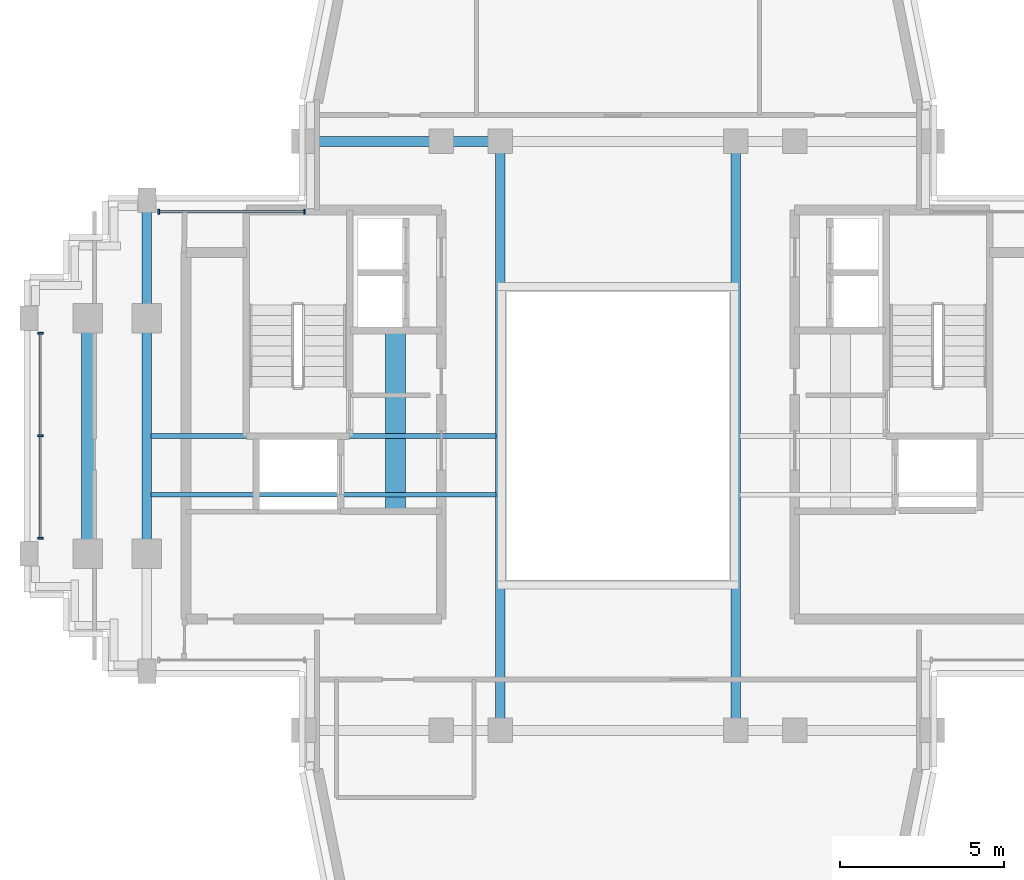
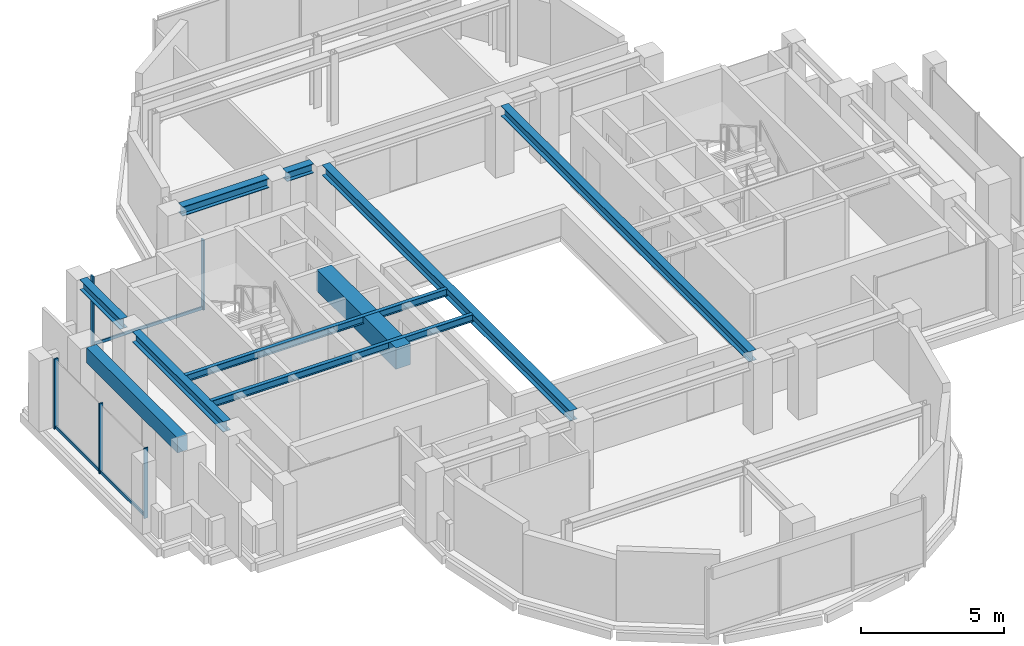
# One storey, part 4 of 12: 10 beams, 8 members, 2 elements without a shape of their own.
"""IFC4 building model written with IfcOpenShell, lengths in metres."""

from ifc_helpers import new_model, si_unit, direction, frame, origin, origin_2d, place, context, subcontext, project, spatial, rectangle, i_section, extrude, source, transform, mapped, material, material_profile, profile_set, type_object, element, aggregate, save


model = new_model("IFC4")

# Units and contexts
model_context = context("Model", 3, precision=1e-05, world=origin(), true_north=direction((0.0, 1.0)))
body_context = subcontext(model_context, "Body", "Model", "MODEL_VIEW")
ifc_project = project(units=[si_unit("LENGTHUNIT", "METRE"), si_unit("AREAUNIT", "SQUARE_METRE"), si_unit("VOLUMEUNIT", "CUBIC_METRE"), si_unit("PLANEANGLEUNIT", "RADIAN"), si_unit("MASSUNIT", "GRAM", prefix="KILO")], contexts=[model_context])

# Site, building, storey
site_placement = place(None, origin())
site = spatial("IfcSite", under=ifc_project, at=site_placement, CompositionType="ELEMENT")
building_placement = place(site_placement, origin())
building = spatial("IfcBuilding", under=site, at=building_placement, Name="Keilestroom Media Tower", CompositionType="ELEMENT")
storey_placement = place(building_placement, frame((0.0, 0.0, 249.199951171875)))
storey = spatial("IfcBuildingStorey", under=building, at=storey_placement, Name="L69", CompositionType="ELEMENT", Elevation=249.199951171875)

# Beams
ifc_material_1 = material(Name="Concrete C70/85", Category="concrete")
ifc_material_profile_1 = material_profile(ifc_material_1, rectangle(XDim=0.60009765625, YDim=0.89990234375, at=origin_2d()), Name="RC 600x900")
ifc_profile_set_1 = profile_set([ifc_material_profile_1], Name="Concrete C70/85")
beam_type_1 = type_object("IfcBeamType", Name="Core-Coupling-Lintel-Beam-RC-600x900", PredefinedType="LINTEL", material=ifc_profile_set_1)
shared_shape_1 = source(origin(), body_context, "Body", "SweptSolid", [
    extrude(rectangle(XDim=0.60009765625, YDim=0.89990234375, at=origin_2d()), origin(), (0.0, 0.0, 1.0), 5.52001953125),
])
beam_1_placement = place(storey_placement, frame((-6.800048828125, -2.300048828125, 2.56005859375), z_axis=(0.0, 1.0, 0.0), x_axis=(-1.0, 0.0, 0.0)))
element("IfcBeam", 1, at=beam_1_placement, inside=storey, type_object=beam_type_1, Name="L69 Beam CLB-1 CLB-L69-W", PredefinedType="LINTEL", context=body_context, shape_type="MappedRepresentation", body=[
    mapped(shared_shape_1, transform((0.0, 0.0, 0.0), x_axis=(1.0, 0.0, 0.0), y_axis=(0.0, 1.0, 0.0), z_axis=(0.0, 0.0, 1.0), scale=1.0)),
])
ifc_material_2 = material(Name="Steel S355", Category="steel")
ifc_material_profile_2 = material_profile(ifc_material_2, i_section(OverallWidth=0.300048828125, OverallDepth=0.39990234375, WebThickness=0.011474609375, FlangeThickness=0.02392578125, at=origin_2d()), Name="HEB 400")
ifc_profile_set_2 = profile_set([ifc_material_profile_2], Name="Steel S355")
beam_type_2 = type_object("IfcBeamType", Name="Primary-Structural-Girder-HEB-400", PredefinedType="BEAM", material=ifc_profile_set_2)
shared_shape_2 = source(origin(), body_context, "Body", "SweptSolid", [
    extrude(i_section(OverallWidth=0.300048828125, OverallDepth=0.39990234375, WebThickness=0.011474609375, FlangeThickness=0.02392578125, at=origin_2d()), origin(), (0.0, 0.0, 1.0), 3.490234375),
])
beam_2_placement = place(storey_placement, frame((-9.2451171875, 9.0, 2.81005859375), z_axis=(1.0, 0.0, 0.0), x_axis=(0.0, 1.0, 0.0)))
element("IfcBeam", 2, at=beam_2_placement, inside=storey, type_object=beam_type_2, Name="L69 Beam BG-8 BM-L69-EW-012", PredefinedType="BEAM", context=body_context, shape_type="MappedRepresentation", body=[
    mapped(shared_shape_2, transform((0.0, 0.0, 0.0), x_axis=(1.0, 0.0, 0.0), y_axis=(0.0, 1.0, 0.0), z_axis=(0.0, 0.0, 1.0), scale=1.0)),
])
shared_shape_3 = source(origin(), body_context, "Body", "SweptSolid", [
    extrude(i_section(OverallWidth=0.300048828125, OverallDepth=0.39990234375, WebThickness=0.011474609375, FlangeThickness=0.02392578125, at=origin_2d()), origin(), (0.0, 0.0, 1.0), 1.08984375),
])
beam_3_placement = place(storey_placement, frame((-5.044921875, 9.0, 2.81005859375), z_axis=(1.0, 0.0, 0.0), x_axis=(0.0, 1.0, 0.0)))
element("IfcBeam", 3, at=beam_3_placement, inside=storey, type_object=beam_type_2, Name="L69 Beam BG-8 BM-L69-EW-013", PredefinedType="BEAM", context=body_context, shape_type="MappedRepresentation", body=[
    mapped(shared_shape_3, transform((0.0, 0.0, 0.0), x_axis=(1.0, 0.0, 0.0), y_axis=(0.0, 1.0, 0.0), z_axis=(0.0, 0.0, 1.0), scale=1.0)),
])
ifc_material_profile_3 = material_profile(ifc_material_2, i_section(OverallWidth=0.300048828125, OverallDepth=0.43994140625, WebThickness=0.011474609375, FlangeThickness=0.02099609375, at=origin_2d()), Name="HEA 450")
ifc_profile_set_3 = profile_set([ifc_material_profile_3], Name="Steel S355")
beam_type_3 = type_object("IfcBeamType", Name="Primary-Structural-Girder-HEA-450", PredefinedType="BEAM", material=ifc_profile_set_3)
shared_shape_4 = source(origin(), body_context, "Body", "SweptSolid", [
    extrude(i_section(OverallWidth=0.300048828125, OverallDepth=0.43994140625, WebThickness=0.011474609375, FlangeThickness=0.02099609375, at=origin_2d()), origin(), (0.0, 0.0, 1.0), 6.33984375),
])
beam_4_placement = place(storey_placement, frame((-14.39990234375, -3.169921875, 2.7900390625), z_axis=(0.0, 1.0, 0.0), x_axis=(-1.0, 0.0, 0.0)))
element("IfcBeam", 4, at=beam_4_placement, inside=storey, type_object=beam_type_3, Name="L69 Beam BG-11 BM-L69-NS-023", PredefinedType="BEAM", context=body_context, shape_type="MappedRepresentation", body=[
    mapped(shared_shape_4, transform((0.0, 0.0, 0.0), x_axis=(1.0, 0.0, 0.0), y_axis=(0.0, 1.0, 0.0), z_axis=(0.0, 0.0, 1.0), scale=1.0)),
])
shared_shape_5 = source(origin(), body_context, "Body", "SweptSolid", [
    extrude(i_section(OverallWidth=0.300048828125, OverallDepth=0.43994140625, WebThickness=0.011474609375, FlangeThickness=0.02099609375, at=origin_2d()), origin(), (0.0, 0.0, 1.0), 2.81494140625),
])
beam_5_placement = place(storey_placement, frame((-14.39990234375, 4.030029296875, 2.7900390625), z_axis=(0.0, 1.0, 0.0), x_axis=(-1.0, 0.0, 0.0)))
element("IfcBeam", 5, at=beam_5_placement, inside=storey, type_object=beam_type_3, Name="L69 Beam BG-11 BM-L69-NS-024", PredefinedType="BEAM", context=body_context, shape_type="MappedRepresentation", body=[
    mapped(shared_shape_5, transform((0.0, 0.0, 0.0), x_axis=(1.0, 0.0, 0.0), y_axis=(0.0, 1.0, 0.0), z_axis=(0.0, 0.0, 1.0), scale=1.0)),
])
shared_shape_6 = source(origin(), body_context, "Body", "SweptSolid", [
    extrude(i_section(OverallWidth=0.300048828125, OverallDepth=0.43994140625, WebThickness=0.011474609375, FlangeThickness=0.02099609375, at=origin_2d()), origin(), (0.0, 0.0, 1.0), 17.2900390625),
])
for number, where, z_axis, x_axis, name in (
    (6, (-3.60009765625, -8.64501953125, 2.7900390625), (0.0, 1.0, 0.0), (-1.0, 0.0, 0.0), "L69 Beam BG-11 BM-L69-NS-028"),
    (7, (3.60009765625, -8.64501953125, 2.7900390625), (0.0, 1.0, 0.0), (-1.0, 0.0, 0.0), "L69 Beam BG-11 BM-L69-NS-031"),
):
    element("IfcBeam", number, at=place(storey_placement, frame(where, z_axis=z_axis, x_axis=x_axis)), inside=storey, type_object=beam_type_3, Name=name, PredefinedType="BEAM", context=body_context, shape_type="MappedRepresentation", body=[
        mapped(shared_shape_6, transform((0.0, 0.0, 0.0), x_axis=(1.0, 0.0, 0.0), y_axis=(0.0, 1.0, 0.0), z_axis=(0.0, 0.0, 1.0), scale=1.0)),
    ])
ifc_material_profile_4 = material_profile(ifc_material_2, i_section(OverallWidth=0.14990234375, OverallDepth=0.300048828125, WebThickness=0.007080078125, FlangeThickness=0.0107421875, at=origin_2d()), Name="IPE 300")
ifc_profile_set_4 = profile_set([ifc_material_profile_4], Name="Steel S355")
beam_type_4 = type_object("IfcBeamType", Name="Secondary-Floor-Joist-IPE-300", PredefinedType="JOIST", material=ifc_profile_set_4)
shared_shape_7 = source(origin(), body_context, "Body", "SweptSolid", [
    extrude(i_section(OverallWidth=0.14990234375, OverallDepth=0.300048828125, WebThickness=0.007080078125, FlangeThickness=0.0107421875, at=origin_2d()), origin(), (0.0, 0.0, 1.0), 10.5400390625),
])
for number, where, z_axis, x_axis, name in (
    (8, (-14.27001953125, -1.800048828125, 2.860107421875), (1.0, 0.0, 0.0), (0.0, 1.0, 0.0), "L69 Beam BJ-7 JST-L69-039"),
    (9, (-14.27001953125, 0.0, 2.860107421875), (1.0, 0.0, 0.0), (0.0, 1.0, 0.0), "L69 Beam BJ-7 JST-L69-042"),
):
    element("IfcBeam", number, at=place(storey_placement, frame(where, z_axis=z_axis, x_axis=x_axis)), inside=storey, type_object=beam_type_4, Name=name, PredefinedType="JOIST", context=body_context, shape_type="MappedRepresentation", body=[
        mapped(shared_shape_7, transform((0.0, 0.0, 0.0), x_axis=(1.0, 0.0, 0.0), y_axis=(0.0, 1.0, 0.0), z_axis=(0.0, 0.0, 1.0), scale=1.0)),
    ])
ifc_material_3 = material(Name="Precast concrete C40/50", Category="concrete")
ifc_material_profile_5 = material_profile(ifc_material_3, rectangle(XDim=0.39990234375, YDim=0.64990234375, at=origin_2d()), Name="PC 400x650")
ifc_profile_set_5 = profile_set([ifc_material_profile_5], Name="Precast concrete C40/50")
beam_type_5 = type_object("IfcBeamType", Name="Perimeter-Spandrel-Beam-PC-400x650", PredefinedType="SPANDREL", material=ifc_profile_set_5)
shared_shape_8 = source(origin(), body_context, "Body", "SweptSolid", [
    extrude(rectangle(XDim=0.39990234375, YDim=0.64990234375, at=origin_2d()), origin(), (0.0, 0.0, 1.0), 6.33984375),
])
beam_6_placement = place(storey_placement, frame((-16.199951171875, -3.169921875, 2.655029296875), z_axis=(0.0, 1.0, 0.0), x_axis=(-1.0, 0.0, 0.0)))
element("IfcBeam", 10, at=beam_6_placement, inside=storey, type_object=beam_type_5, Name="L69 Beam SPB-2 BM-L69-NS-021", PredefinedType="SPANDREL", context=body_context, shape_type="MappedRepresentation", body=[
    mapped(shared_shape_8, transform((0.0, 0.0, 0.0), x_axis=(1.0, 0.0, 0.0), y_axis=(0.0, 1.0, 0.0), z_axis=(0.0, 0.0, 1.0), scale=1.0)),
])

# Curtain wall, members
ifc_material_4 = material(Name="Anodised Aluminium Alloy", Category="aluminium")
curtain_wall_type = type_object("IfcCurtainWallType", Name="Unitised-Curtain-Wall-CW-4", PredefinedType="NOTDEFINED", material=ifc_material_4)
curtain_wall_1_placement = place(storey_placement, origin())
curtain_wall_1 = element("IfcCurtainWall", 11, at=curtain_wall_1_placement, inside=storey, type_object=curtain_wall_type, Name="L69 Curtain Wall CW-4 CW-L69-W-1", PredefinedType="NOTDEFINED")
ifc_material_profile_6 = material_profile(ifc_material_4, rectangle(XDim=0.06005859375, YDim=0.159912109375, at=origin_2d()), Name="ALU MULLION 60x160")
ifc_profile_set_6 = profile_set([ifc_material_profile_6], Name="Anodised Aluminium Alloy")
member_type_1 = type_object("IfcMemberType", Name="Curtain-Wall-Mullion-CW-4", PredefinedType="MULLION", material=ifc_profile_set_6)
shared_shape_9 = source(origin(), body_context, "Body", "SweptSolid", [
    extrude(rectangle(XDim=0.06005859375, YDim=0.159912109375, at=origin_2d()), origin(), (0.0, 0.0, 1.0), 2.97998046875),
])
member_1_placement = place(storey_placement, frame((-17.64990234375, -3.135009765625, 0.0), z_axis=(0.0, 0.0, 1.0), x_axis=(0.0, 1.0, 0.0)))
member_1 = element("IfcMember", 12, at=member_1_placement, type_object=member_type_1, Name="CW-4 Mullion 00", PredefinedType="MULLION", context=body_context, shape_type="MappedRepresentation", body=[
    mapped(shared_shape_9, transform((0.0, 0.0, 0.0), x_axis=(1.0, 0.0, 0.0), y_axis=(0.0, 1.0, 0.0), z_axis=(0.0, 0.0, 1.0), scale=1.0)),
])
member_2_placement = place(storey_placement, frame((-17.64990234375, 0.0, 0.0), z_axis=(0.0, 0.0, 1.0), x_axis=(0.0, 1.0, 0.0)))
member_2 = element("IfcMember", 13, at=member_2_placement, type_object=member_type_1, Name="CW-4 Mullion 01", PredefinedType="MULLION", context=body_context, shape_type="MappedRepresentation", body=[
    mapped(shared_shape_9, transform((0.0, 0.0, 0.0), x_axis=(1.0, 0.0, 0.0), y_axis=(0.0, 1.0, 0.0), z_axis=(0.0, 0.0, 1.0), scale=1.0)),
])
member_3_placement = place(storey_placement, frame((-17.64990234375, 3.135009765625, 0.0), z_axis=(0.0, 0.0, 1.0), x_axis=(0.0, 1.0, 0.0)))
member_3 = element("IfcMember", 14, at=member_3_placement, type_object=member_type_1, Name="CW-4 Mullion 02", PredefinedType="MULLION", context=body_context, shape_type="MappedRepresentation", body=[
    mapped(shared_shape_9, transform((0.0, 0.0, 0.0), x_axis=(1.0, 0.0, 0.0), y_axis=(0.0, 1.0, 0.0), z_axis=(0.0, 0.0, 1.0), scale=1.0)),
])

curtain_wall_2_placement = place(storey_placement, origin())
curtain_wall_2 = element("IfcCurtainWall", 15, at=curtain_wall_2_placement, inside=storey, type_object=curtain_wall_type, Name="L69 Curtain Wall CW-4 CW-L69-NW-1", PredefinedType="NOTDEFINED")
member_4_placement = place(storey_placement, frame((-14.034912109375, 6.85009765625, 0.0), z_axis=(0.0, 0.0, 1.0), x_axis=(1.0, 0.0, 0.0)))
member_4 = element("IfcMember", 16, at=member_4_placement, type_object=member_type_1, Name="CW-4 Mullion 00", PredefinedType="MULLION", context=body_context, shape_type="MappedRepresentation", body=[
    mapped(shared_shape_9, transform((0.0, 0.0, 0.0), x_axis=(1.0, 0.0, 0.0), y_axis=(0.0, 1.0, 0.0), z_axis=(0.0, 0.0, 1.0), scale=1.0)),
])
member_5_placement = place(storey_placement, frame((-9.580078125, 6.85009765625, 0.0), z_axis=(0.0, 0.0, 1.0), x_axis=(1.0, 0.0, 0.0)))
member_5 = element("IfcMember", 17, at=member_5_placement, type_object=member_type_1, Name="CW-4 Mullion 01", PredefinedType="MULLION", context=body_context, shape_type="MappedRepresentation", body=[
    mapped(shared_shape_9, transform((0.0, 0.0, 0.0), x_axis=(1.0, 0.0, 0.0), y_axis=(0.0, 1.0, 0.0), z_axis=(0.0, 0.0, 1.0), scale=1.0)),
])

# Member
ifc_material_profile_7 = material_profile(ifc_material_4, rectangle(XDim=0.06005859375, YDim=0.1298828125, at=origin_2d()), Name="ALU TRANSOM 60x130")
ifc_profile_set_7 = profile_set([ifc_material_profile_7], Name="Anodised Aluminium Alloy")
member_type_2 = type_object("IfcMemberType", Name="Curtain-Wall-Transom-CW-4", PredefinedType="USERDEFINED", material=ifc_profile_set_7)
shared_shape_10 = source(origin(), body_context, "Body", "SweptSolid", [
    extrude(rectangle(XDim=0.06005859375, YDim=0.1298828125, at=origin_2d()), origin(), (0.0, 0.0, 1.0), 3.078857421875),
])
member_6_placement = place(storey_placement, frame((-17.64990234375, -3.10693359375, 0.06494140625), z_axis=(0.0, 1.0, 0.0), x_axis=(-1.0, 0.0, 0.0)))
member_6 = element("IfcMember", 18, at=member_6_placement, type_object=member_type_2, Name="CW-4 Transom 00.1", ObjectType="TRANSOM", PredefinedType="USERDEFINED", context=body_context, shape_type="MappedRepresentation", body=[
    mapped(shared_shape_10, transform((0.0, 0.0, 0.0), x_axis=(1.0, 0.0, 0.0), y_axis=(0.0, 1.0, 0.0), z_axis=(0.0, 0.0, 1.0), scale=1.0)),
])

member_7_placement = place(storey_placement, frame((-17.64990234375, 0.028076171875, 0.06494140625), z_axis=(0.0, 1.0, 0.0), x_axis=(-1.0, 0.0, 0.0)))
member_7 = element("IfcMember", 19, at=member_7_placement, type_object=member_type_2, Name="CW-4 Transom 01.1", ObjectType="TRANSOM", PredefinedType="USERDEFINED", context=body_context, shape_type="MappedRepresentation", body=[
    mapped(shared_shape_10, transform((0.0, 0.0, 0.0), x_axis=(1.0, 0.0, 0.0), y_axis=(0.0, 1.0, 0.0), z_axis=(0.0, 0.0, 1.0), scale=1.0)),
])

aggregate(curtain_wall_1, [member_1, member_2, member_3, member_6, member_7])

shared_shape_11 = source(origin(), body_context, "Body", "SweptSolid", [
    extrude(rectangle(XDim=0.06005859375, YDim=0.1298828125, at=origin_2d()), origin(), (0.0, 0.0, 1.0), 4.399169921875),
])
member_8_placement = place(storey_placement, frame((-14.007080078125, 6.85009765625, 0.06494140625), z_axis=(1.0, 0.0, 0.0), x_axis=(0.0, 1.0, 0.0)))
member_8 = element("IfcMember", 20, at=member_8_placement, type_object=member_type_2, Name="CW-4 Transom 00.1", ObjectType="TRANSOM", PredefinedType="USERDEFINED", context=body_context, shape_type="MappedRepresentation", body=[
    mapped(shared_shape_11, transform((0.0, 0.0, 0.0), x_axis=(1.0, 0.0, 0.0), y_axis=(0.0, 1.0, 0.0), z_axis=(0.0, 0.0, 1.0), scale=1.0)),
])

aggregate(curtain_wall_2, [member_4, member_5, member_8])

save(model, "model.ifc")
